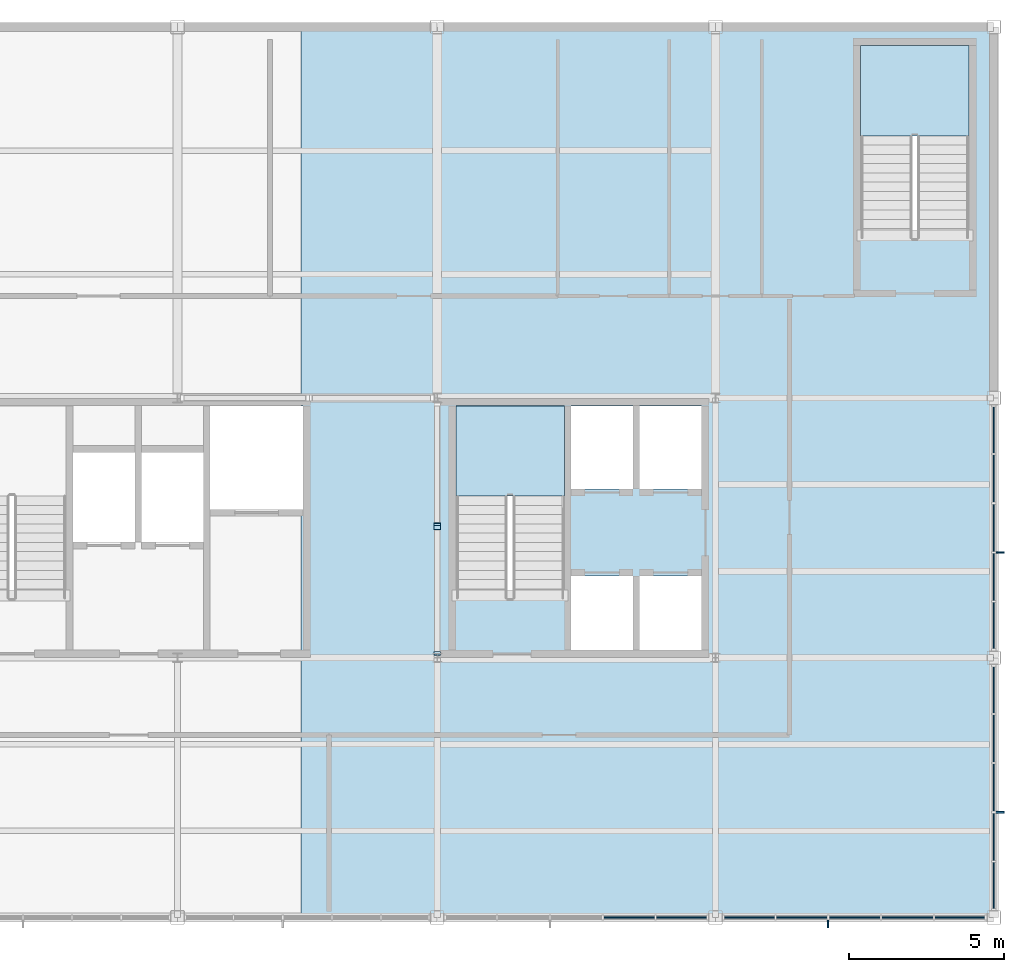
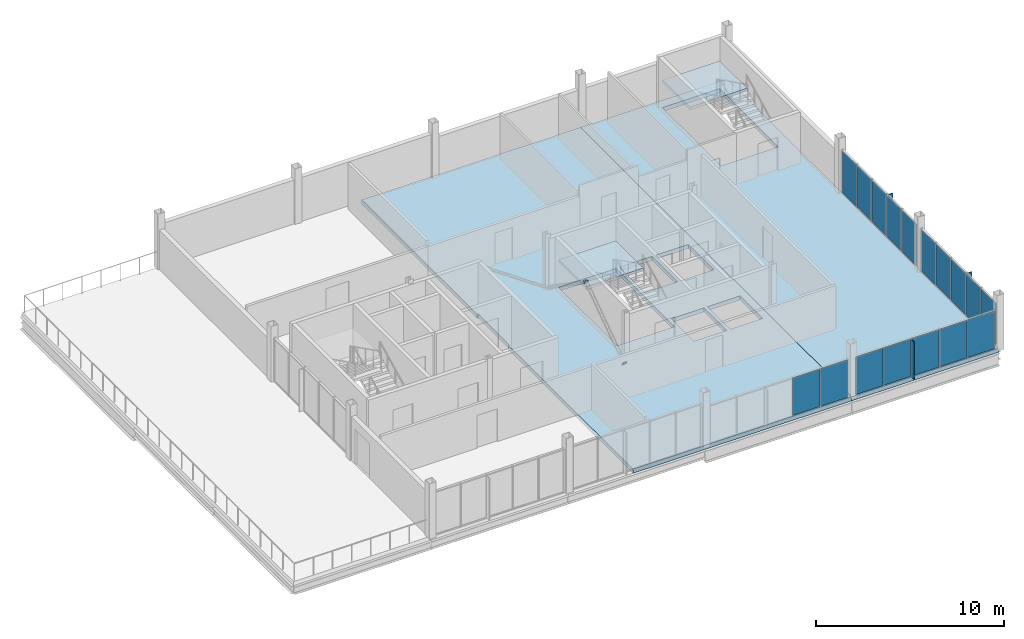
# One storey, part 9 of 14: 23 plates, 4 slabs, 6 elements without a shape of their own.
"""IFC4 building model written with IfcOpenShell, lengths in metres."""

from ifc_helpers import new_model, si_unit, direction, frame, origin, origin_2d, place, context, subcontext, project, spatial, polyline, rectangle, outline, extrude, material, layer, layer_set, type_object, element, aggregate, save


model = new_model("IFC4")

# Units and contexts
model_context = context("Model", 3, precision=1e-05, world=origin(), true_north=direction((0.0, 1.0)))
body_context = subcontext(model_context, "Body", "Model", "MODEL_VIEW")
ifc_project = project(units=[si_unit("LENGTHUNIT", "METRE"), si_unit("AREAUNIT", "SQUARE_METRE"), si_unit("VOLUMEUNIT", "CUBIC_METRE"), si_unit("PLANEANGLEUNIT", "RADIAN"), si_unit("MASSUNIT", "GRAM", prefix="KILO")], contexts=[model_context])

# Site, building, storey
site_placement = place(None, origin())
site = spatial("IfcSite", under=ifc_project, at=site_placement, CompositionType="ELEMENT")
building_placement = place(site_placement, origin())
building = spatial("IfcBuilding", under=site, at=building_placement, Name="Yukiwa Park Conservatory and Herbarium", CompositionType="ELEMENT")
storey_placement = place(building_placement, frame((0.0, 0.0, 50.39990234375)))
storey = spatial("IfcBuildingStorey", under=building, at=storey_placement, Name="L13", CompositionType="ELEMENT", Elevation=50.39990234375)

# Plates
ifc_material_1 = material(Name="Steel Q355D", Category="steel")
ifc_layer_1 = layer(ifc_material_1, 0.02392578125)
ifc_layer_set_1 = layer_set([ifc_layer_1], Name="Steel Q355D")
plate_type_1 = type_object("IfcPlateType", Name="PL-CAP-24-INT", PredefinedType="USERDEFINED", material=ifc_layer_set_1)
for number, where, z_axis, x_axis, name in (
    (1, (150.0, 94.951904296875, 0.155517578125), (0.0, -0.822557603224, -0.56868179976), (1.0, 0.0, 0.0), "Hollow section end cap plate CAP-BR-L13-067A"),
    (2, (150.0, 98.993408203125, 2.966552734375), (0.0, 0.822557603224, 0.56868179976), (-1.0, 0.0, 0.0), "Hollow section end cap plate CAP-BR-L13-067B"),
    (3, (150.0, 99.109130859375, 2.895263671875), (0.0, -0.819231920519, 0.573462344363), (1.0, 0.0, 0.0), "Hollow section end cap plate CAP-BR-L13-068B"),
):
    element("IfcPlate", number, at=place(storey_placement, frame(where, z_axis=z_axis, x_axis=x_axis)), inside=storey, type_object=plate_type_1, Name=name, ObjectType="END CAP PLATE", PredefinedType="USERDEFINED", context=body_context, shape_type="SweptSolid", body=[
        extrude(rectangle(XDim=0.20166015625, YDim=0.20166015625, at=origin_2d()), origin(), (0.0, 0.0, 1.0), 0.02392578125),
    ])

# Curtain wall, plates
ifc_material_2 = material(Name="Triple Low-E Insulated Glass", Category="glass")
ifc_layer_2 = layer(ifc_material_2, 0.27197265625)
ifc_layer_set_2 = layer_set([ifc_layer_2], Name="Triple Low-E Insulated Glass")
curtain_wall_type = type_object("IfcCurtainWallType", Name="CW-TOWER-LIB-1600", PredefinedType="NOTDEFINED", material=ifc_layer_set_2)
curtain_wall_1_placement = place(storey_placement, origin())
curtain_wall_1 = element("IfcCurtainWall", 4, at=curtain_wall_1_placement, inside=storey, type_object=curtain_wall_type, Name="L13 unitised curtain wall CW-L13-126", PredefinedType="NOTDEFINED")
ifc_material_3 = material(Name="Triple Low-E Insulated Glass", Category="glass")
ifc_layer_3 = layer(ifc_material_3, 0.035888671875)
ifc_layer_set_3 = layer_set([ifc_layer_3], Name="Triple Low-E Insulated Glass")
plate_type_2 = type_object("IfcPlateType", Name="PL-CW-GLZ-36", PredefinedType="CURTAIN_PANEL", material=ifc_layer_set_3)
plate_1_placement = place(storey_placement, frame((168.0, 87.419921875, 0.070068359375), z_axis=(0.0, 0.0, 1.0), x_axis=(0.0, 1.0, 0.0)))
plate_1 = element("IfcPlate", 5, at=plate_1_placement, type_object=plate_type_2, Name="CW-L13-126 vision panel 1.1", PredefinedType="CURTAIN_PANEL", context=body_context, shape_type="SweptSolid", body=[
    extrude(rectangle(XDim=1.52001953125, YDim=0.035888671875, at=origin_2d()), origin(), (0.0, 0.0, 1.0), 2.7060546875),
])
plate_2_placement = place(storey_placement, frame((168.0, 89.010009765625, 0.070068359375), z_axis=(0.0, 0.0, 1.0), x_axis=(0.0, 1.0, 0.0)))
plate_2 = element("IfcPlate", 6, at=plate_2_placement, type_object=plate_type_2, Name="CW-L13-126 vision panel 2.1", PredefinedType="CURTAIN_PANEL", context=body_context, shape_type="SweptSolid", body=[
    extrude(rectangle(XDim=1.52001953125, YDim=0.035888671875, at=origin_2d()), origin(), (0.0, 0.0, 1.0), 2.7060546875),
])
plate_3_placement = place(storey_placement, frame((168.0, 90.60009765625, 0.070068359375), z_axis=(0.0, 0.0, 1.0), x_axis=(0.0, 1.0, 0.0)))
plate_3 = element("IfcPlate", 7, at=plate_3_placement, type_object=plate_type_2, Name="CW-L13-126 vision panel 3.1", PredefinedType="CURTAIN_PANEL", context=body_context, shape_type="SweptSolid", body=[
    extrude(rectangle(XDim=1.52001953125, YDim=0.035888671875, at=origin_2d()), origin(), (0.0, 0.0, 1.0), 2.7060546875),
])
plate_4_placement = place(storey_placement, frame((168.0, 92.18994140625, 0.070068359375), z_axis=(0.0, 0.0, 1.0), x_axis=(0.0, 1.0, 0.0)))
plate_4 = element("IfcPlate", 8, at=plate_4_placement, type_object=plate_type_2, Name="CW-L13-126 vision panel 4.1", PredefinedType="CURTAIN_PANEL", context=body_context, shape_type="SweptSolid", body=[
    extrude(rectangle(XDim=1.52001953125, YDim=0.035888671875, at=origin_2d()), origin(), (0.0, 0.0, 1.0), 2.7060546875),
])
plate_5_placement = place(storey_placement, frame((168.0, 93.780029296875, 0.070068359375), z_axis=(0.0, 0.0, 1.0), x_axis=(0.0, 1.0, 0.0)))
plate_5 = element("IfcPlate", 9, at=plate_5_placement, type_object=plate_type_2, Name="CW-L13-126 vision panel 5.1", PredefinedType="CURTAIN_PANEL", context=body_context, shape_type="SweptSolid", body=[
    extrude(rectangle(XDim=1.52001953125, YDim=0.035888671875, at=origin_2d()), origin(), (0.0, 0.0, 1.0), 2.7060546875),
])
aggregate(curtain_wall_1, [plate_1, plate_2, plate_3, plate_4, plate_5])

curtain_wall_2_placement = place(storey_placement, origin())
curtain_wall_2 = element("IfcCurtainWall", 10, at=curtain_wall_2_placement, inside=storey, type_object=curtain_wall_type, Name="L13 unitised curtain wall CW-L13-127", PredefinedType="NOTDEFINED")
plate_6_placement = place(storey_placement, frame((168.0, 95.820068359375, 0.070068359375), z_axis=(0.0, 0.0, 1.0), x_axis=(0.0, 1.0, 0.0)))
plate_6 = element("IfcPlate", 11, at=plate_6_placement, type_object=plate_type_2, Name="CW-L13-127 vision panel 1.1", PredefinedType="CURTAIN_PANEL", context=body_context, shape_type="SweptSolid", body=[
    extrude(rectangle(XDim=1.52001953125, YDim=0.035888671875, at=origin_2d()), origin(), (0.0, 0.0, 1.0), 2.7060546875),
])
plate_7_placement = place(storey_placement, frame((168.0, 97.409912109375, 0.070068359375), z_axis=(0.0, 0.0, 1.0), x_axis=(0.0, 1.0, 0.0)))
plate_7 = element("IfcPlate", 12, at=plate_7_placement, type_object=plate_type_2, Name="CW-L13-127 vision panel 2.1", PredefinedType="CURTAIN_PANEL", context=body_context, shape_type="SweptSolid", body=[
    extrude(rectangle(XDim=1.52001953125, YDim=0.035888671875, at=origin_2d()), origin(), (0.0, 0.0, 1.0), 2.7060546875),
])
plate_8_placement = place(storey_placement, frame((168.0, 99.0, 0.070068359375), z_axis=(0.0, 0.0, 1.0), x_axis=(0.0, 1.0, 0.0)))
plate_8 = element("IfcPlate", 13, at=plate_8_placement, type_object=plate_type_2, Name="CW-L13-127 vision panel 3.1", PredefinedType="CURTAIN_PANEL", context=body_context, shape_type="SweptSolid", body=[
    extrude(rectangle(XDim=1.52001953125, YDim=0.035888671875, at=origin_2d()), origin(), (0.0, 0.0, 1.0), 2.7060546875),
])
plate_9_placement = place(storey_placement, frame((168.0, 100.590087890625, 0.070068359375), z_axis=(0.0, 0.0, 1.0), x_axis=(0.0, 1.0, 0.0)))
plate_9 = element("IfcPlate", 14, at=plate_9_placement, type_object=plate_type_2, Name="CW-L13-127 vision panel 4.1", PredefinedType="CURTAIN_PANEL", context=body_context, shape_type="SweptSolid", body=[
    extrude(rectangle(XDim=1.52001953125, YDim=0.035888671875, at=origin_2d()), origin(), (0.0, 0.0, 1.0), 2.7060546875),
])
plate_10_placement = place(storey_placement, frame((168.0, 102.179931640625, 0.070068359375), z_axis=(0.0, 0.0, 1.0), x_axis=(0.0, 1.0, 0.0)))
plate_10 = element("IfcPlate", 15, at=plate_10_placement, type_object=plate_type_2, Name="CW-L13-127 vision panel 5.1", PredefinedType="CURTAIN_PANEL", context=body_context, shape_type="SweptSolid", body=[
    extrude(rectangle(XDim=1.52001953125, YDim=0.035888671875, at=origin_2d()), origin(), (0.0, 0.0, 1.0), 2.7060546875),
])
aggregate(curtain_wall_2, [plate_6, plate_7, plate_8, plate_9, plate_10])

curtain_wall_3_placement = place(storey_placement, origin())
curtain_wall_3 = element("IfcCurtainWall", 16, at=curtain_wall_3_placement, inside=storey, type_object=curtain_wall_type, Name="L13 unitised curtain wall CW-L13-131", PredefinedType="NOTDEFINED")
plate_11_placement = place(storey_placement, frame((156.2099609375, 86.39990234375, 0.070068359375), z_axis=(0.0, 0.0, 1.0), x_axis=(1.0, 0.0, 0.0)))
plate_11 = element("IfcPlate", 17, at=plate_11_placement, type_object=plate_type_2, Name="CW-L13-131 vision panel 4.1", PredefinedType="CURTAIN_PANEL", context=body_context, shape_type="SweptSolid", body=[
    extrude(rectangle(XDim=1.639892578125, YDim=0.035888671875, at=origin_2d()), origin(), (0.0, 0.0, 1.0), 2.4140625),
])
plate_12_placement = place(storey_placement, frame((157.919921875, 86.39990234375, 0.070068359375), z_axis=(0.0, 0.0, 1.0), x_axis=(1.0, 0.0, 0.0)))
plate_12 = element("IfcPlate", 18, at=plate_12_placement, type_object=plate_type_2, Name="CW-L13-131 vision panel 5.1", PredefinedType="CURTAIN_PANEL", context=body_context, shape_type="SweptSolid", body=[
    extrude(rectangle(XDim=1.639892578125, YDim=0.035888671875, at=origin_2d()), origin(), (0.0, 0.0, 1.0), 2.4140625),
])
aggregate(curtain_wall_3, [plate_11, plate_12])

curtain_wall_4_placement = place(storey_placement, origin())
curtain_wall_4 = element("IfcCurtainWall", 19, at=curtain_wall_4_placement, inside=storey, type_object=curtain_wall_type, Name="L13 unitised curtain wall CW-L13-132", PredefinedType="NOTDEFINED")
plate_13_placement = place(storey_placement, frame((160.080078125, 86.39990234375, 0.070068359375), z_axis=(0.0, 0.0, 1.0), x_axis=(1.0, 0.0, 0.0)))
plate_13 = element("IfcPlate", 20, at=plate_13_placement, type_object=plate_type_2, Name="CW-L13-132 vision panel 1.1", PredefinedType="CURTAIN_PANEL", context=body_context, shape_type="SweptSolid", body=[
    extrude(rectangle(XDim=1.639892578125, YDim=0.035888671875, at=origin_2d()), origin(), (0.0, 0.0, 1.0), 2.4140625),
])
plate_14_placement = place(storey_placement, frame((161.7900390625, 86.39990234375, 0.070068359375), z_axis=(0.0, 0.0, 1.0), x_axis=(1.0, 0.0, 0.0)))
plate_14 = element("IfcPlate", 21, at=plate_14_placement, type_object=plate_type_2, Name="CW-L13-132 vision panel 2.1", PredefinedType="CURTAIN_PANEL", context=body_context, shape_type="SweptSolid", body=[
    extrude(rectangle(XDim=1.639892578125, YDim=0.035888671875, at=origin_2d()), origin(), (0.0, 0.0, 1.0), 2.4140625),
])
plate_15_placement = place(storey_placement, frame((163.5, 86.39990234375, 0.070068359375), z_axis=(0.0, 0.0, 1.0), x_axis=(1.0, 0.0, 0.0)))
plate_15 = element("IfcPlate", 22, at=plate_15_placement, type_object=plate_type_2, Name="CW-L13-132 vision panel 3.1", PredefinedType="CURTAIN_PANEL", context=body_context, shape_type="SweptSolid", body=[
    extrude(rectangle(XDim=1.639892578125, YDim=0.035888671875, at=origin_2d()), origin(), (0.0, 0.0, 1.0), 2.4140625),
])
plate_16_placement = place(storey_placement, frame((165.2099609375, 86.39990234375, 0.070068359375), z_axis=(0.0, 0.0, 1.0), x_axis=(1.0, 0.0, 0.0)))
plate_16 = element("IfcPlate", 23, at=plate_16_placement, type_object=plate_type_2, Name="CW-L13-132 vision panel 4.1", PredefinedType="CURTAIN_PANEL", context=body_context, shape_type="SweptSolid", body=[
    extrude(rectangle(XDim=1.639892578125, YDim=0.035888671875, at=origin_2d()), origin(), (0.0, 0.0, 1.0), 2.4140625),
])
plate_17_placement = place(storey_placement, frame((166.919921875, 86.39990234375, 0.070068359375), z_axis=(0.0, 0.0, 1.0), x_axis=(1.0, 0.0, 0.0)))
plate_17 = element("IfcPlate", 24, at=plate_17_placement, type_object=plate_type_2, Name="CW-L13-132 vision panel 5.1", PredefinedType="CURTAIN_PANEL", context=body_context, shape_type="SweptSolid", body=[
    extrude(rectangle(XDim=1.639892578125, YDim=0.035888671875, at=origin_2d()), origin(), (0.0, 0.0, 1.0), 2.4140625),
])
aggregate(curtain_wall_4, [plate_13, plate_14, plate_15, plate_16, plate_17])

# Plates
ifc_material_4 = material(Name="Anodised Aluminium", Category="aluminium")
ifc_layer_4 = layer(ifc_material_4, 0.050048828125)
ifc_layer_set_4 = layer_set([ifc_layer_4], Name="Anodised Aluminium")
plate_type_3 = type_object("IfcPlateType", Name="PL-FIN-ALU-50", PredefinedType="USERDEFINED", material=ifc_layer_set_4)
for number, where, z_axis, x_axis, name in (
    (25, (168.18994140625, 89.804931640625, 0.06005859375), (0.0, 0.0, 1.0), (0.0, 1.0, 0.0), "CW-L13-126 exterior vertical shading fin"),
    (26, (168.18994140625, 98.205078125, 0.06005859375), (0.0, 0.0, 1.0), (0.0, 1.0, 0.0), "CW-L13-127 exterior vertical shading fin"),
):
    element("IfcPlate", number, at=place(storey_placement, frame(where, z_axis=z_axis, x_axis=x_axis)), inside=storey, type_object=plate_type_3, Name=name, ObjectType="SHADING FIN", PredefinedType="USERDEFINED", context=body_context, shape_type="SweptSolid", body=[
        extrude(rectangle(XDim=0.050048828125, YDim=0.280029296875, at=origin_2d()), origin(), (0.0, 0.0, 1.0), 2.72607421875),
    ])
plate_18_placement = place(storey_placement, frame((162.64501953125, 86.2099609375, 0.06005859375), z_axis=(0.0, 0.0, 1.0), x_axis=(1.0, 0.0, 0.0)))
element("IfcPlate", 27, at=plate_18_placement, inside=storey, type_object=plate_type_3, Name="CW-L13-132 exterior vertical shading fin", ObjectType="SHADING FIN", PredefinedType="USERDEFINED", context=body_context, shape_type="SweptSolid", body=[
    extrude(rectangle(XDim=0.050048828125, YDim=0.280029296875, at=origin_2d()), origin(), (0.0, 0.0, 1.0), 2.43408203125),
])

# Slabs
ifc_material_5 = material(Name="Concrete C40", Category="concrete")
ifc_layer_5 = layer(ifc_material_5, 0.261962890625)
ifc_layer_set_5 = layer_set([ifc_layer_5], Name="Concrete C40")
slab_type_1 = type_object("IfcSlabType", Name="SL-FLR-262", PredefinedType="FLOOR", material=ifc_layer_set_5)
slab_1_placement = place(storey_placement, frame((0.0, 0.0, -0.261962890625)))
element("IfcSlab", 28, at=slab_1_placement, inside=storey, type_object=slab_type_1, Name="L13 composite structural floor slab V5C", PredefinedType="FLOOR", context=body_context, shape_type="SweptSolid", body=[
    extrude(outline(polyline([(145.60009765625, 99.60009765625), (145.659912109375, 99.60009765625), (145.659912109375, 102.949951171875), (145.60009765625, 102.949951171875), (145.60009765625, 115.199951171875), (159.0, 115.199951171875), (159.0, 86.39990234375), (145.60009765625, 86.39990234375), (145.60009765625, 99.60009765625)]), holes=[polyline([(154.330078125, 97.449951171875), (154.330078125, 95.050048828125), (156.330078125, 95.050048828125), (156.330078125, 97.449951171875), (154.330078125, 97.449951171875)]), polyline([(156.550048828125, 97.449951171875), (156.550048828125, 95.050048828125), (158.550048828125, 95.050048828125), (158.550048828125, 97.449951171875), (156.550048828125, 97.449951171875)]), polyline([(154.110107421875, 102.949951171875), (150.60009765625, 102.949951171875), (150.60009765625, 96.72998046875), (154.110107421875, 96.72998046875), (154.110107421875, 102.949951171875)]), polyline([(154.330078125, 102.949951171875), (154.330078125, 100.25), (156.330078125, 100.25), (156.330078125, 102.949951171875), (154.330078125, 102.949951171875)]), polyline([(158.550048828125, 102.949951171875), (156.550048828125, 102.949951171875), (156.550048828125, 100.25), (158.550048828125, 100.25), (158.550048828125, 102.949951171875)])]), origin(), (0.0, 0.0, 1.0), 0.261962890625),
])
slab_2_placement = place(storey_placement, frame((0.0, 0.0, -0.261962890625)))
element("IfcSlab", 29, at=slab_2_placement, inside=storey, type_object=slab_type_1, Name="L13 composite structural floor slab V5E", PredefinedType="FLOOR", context=body_context, shape_type="SweptSolid", body=[
    extrude(outline(polyline([(168.0, 86.39990234375), (159.0, 86.39990234375), (159.0, 115.199951171875), (168.0, 115.199951171875), (168.0, 86.39990234375)]), holes=[polyline([(167.199951171875, 114.60009765625), (163.68994140625, 114.60009765625), (163.68994140625, 108.3798828125), (167.199951171875, 108.3798828125), (167.199951171875, 114.60009765625)])]), origin(), (0.0, 0.0, 1.0), 0.261962890625),
])

# Stair, slab
ifc_material_6 = material(Name="Concrete C40", Category="concrete")
stair_type_1 = type_object("IfcStairType", Name="ST-DOGLEG-ST-T2", PredefinedType="HALF_TURN_STAIR", material=ifc_material_6)
stair_1_placement = place(storey_placement, origin())
stair_1 = element("IfcStair", 30, at=stair_1_placement, inside=storey, type_object=stair_type_1, Name="L13 Protected Smoke-Proof Stair ST-T2", PredefinedType="HALF_TURN_STAIR")
ifc_material_7 = material(Name="Concrete C40", Category="concrete")
ifc_layer_6 = layer(ifc_material_7, 0.199951171875)
ifc_layer_set_6 = layer_set([ifc_layer_6], Name="Concrete C40")
slab_type_2 = type_object("IfcSlabType", Name="SL-LANDING-220", PredefinedType="LANDING", material=ifc_layer_set_6)
slab_3_placement = place(storey_placement, frame((0.0, 0.0, 1.60009765625)))
slab_3 = element("IfcSlab", 31, at=slab_3_placement, type_object=slab_type_2, Name="ST-T2 landing 1", PredefinedType="LANDING", context=body_context, shape_type="SweptSolid", body=[
    extrude(outline(polyline([(154.110107421875, 100.030029296875), (154.110107421875, 102.949951171875), (150.60009765625, 102.949951171875), (150.60009765625, 100.030029296875), (154.110107421875, 100.030029296875)])), origin(), (0.0, 0.0, 1.0), 0.199951171875),
])
aggregate(stair_1, [slab_3])

ifc_material_8 = material(Name="Concrete C40", Category="concrete")
stair_type_2 = type_object("IfcStairType", Name="ST-DOGLEG-ST-T3", PredefinedType="HALF_TURN_STAIR", material=ifc_material_8)
stair_2_placement = place(storey_placement, origin())
stair_2 = element("IfcStair", 32, at=stair_2_placement, inside=storey, type_object=stair_type_2, Name="L13 Protected Smoke-Proof Stair ST-T3", PredefinedType="HALF_TURN_STAIR")
slab_4_placement = place(storey_placement, frame((0.0, 0.0, 1.60009765625)))
slab_4 = element("IfcSlab", 33, at=slab_4_placement, type_object=slab_type_2, Name="ST-T3 landing 1", PredefinedType="LANDING", context=body_context, shape_type="SweptSolid", body=[
    extrude(outline(polyline([(167.199951171875, 111.679931640625), (167.199951171875, 114.60009765625), (163.68994140625, 114.60009765625), (163.68994140625, 111.679931640625), (167.199951171875, 111.679931640625)])), origin(), (0.0, 0.0, 1.0), 0.199951171875),
])
aggregate(stair_2, [slab_4])

save(model, "model.ifc")
